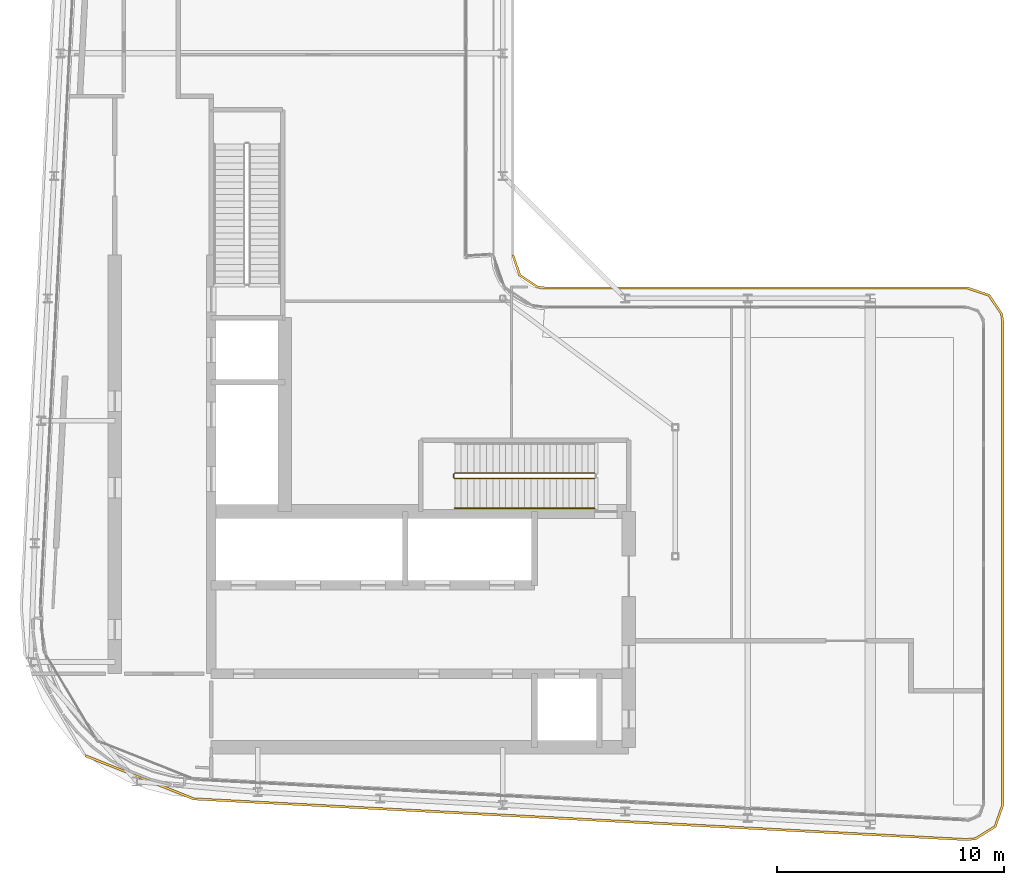
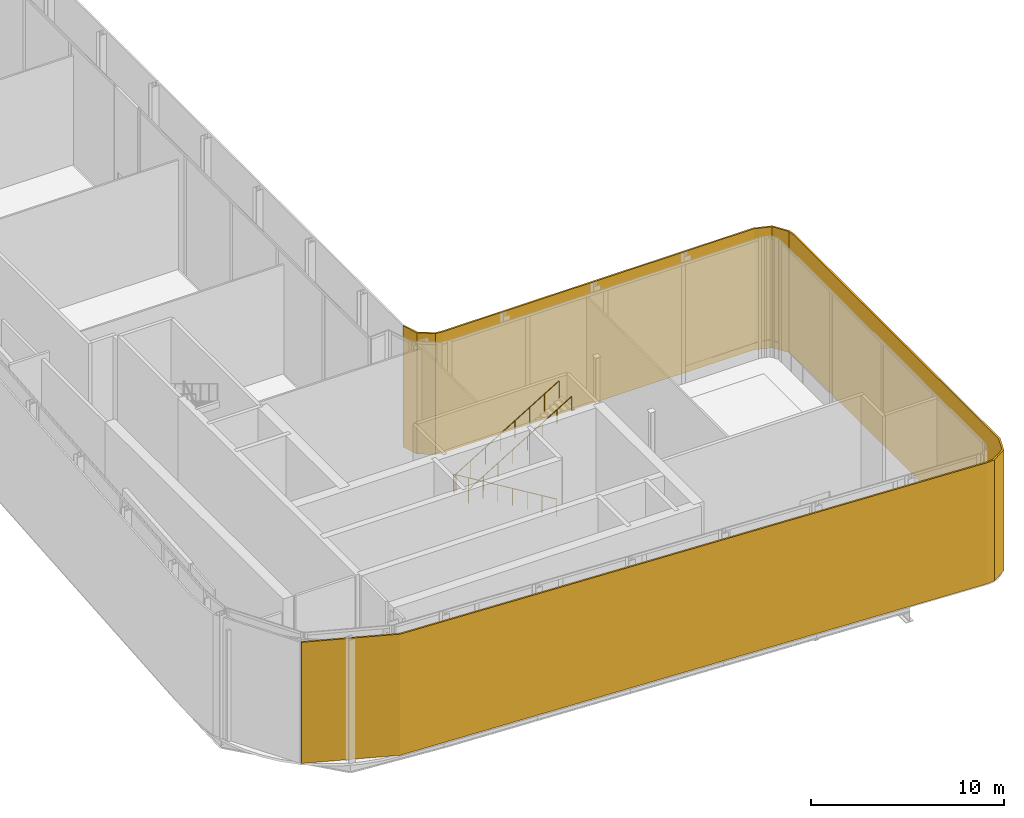
# One storey, part 25 of 28: 2 railings, 1 shading device.
"""IFC4 building model written with IfcOpenShell, lengths in metres."""

from ifc_helpers import new_model, si_unit, direction, frame, origin, origin_2d, place, context, subcontext, project, spatial, polyline, circle, outline, extrude, material, layer, layer_set, type_object, element, save


model = new_model("IFC4")

# Units and contexts
model_context = context("Model", 3, precision=1e-05, world=origin(), true_north=direction((0.0, 1.0)))
body_context = subcontext(model_context, "Body", "Model", "MODEL_VIEW")
ifc_project = project(units=[si_unit("LENGTHUNIT", "METRE"), si_unit("AREAUNIT", "SQUARE_METRE"), si_unit("VOLUMEUNIT", "CUBIC_METRE"), si_unit("PLANEANGLEUNIT", "RADIAN"), si_unit("MASSUNIT", "GRAM", prefix="KILO")], contexts=[model_context])

# Site, building, storey
site_placement = place(None, origin())
site = spatial("IfcSite", under=ifc_project, at=site_placement, CompositionType="ELEMENT")
building_placement = place(site_placement, origin())
building = spatial("IfcBuilding", under=site, at=building_placement, Name="Kheshtan School and Residences Tower", CompositionType="ELEMENT")
storey_placement = place(building_placement, frame((0.0, 0.0, 325.39990234375)))
storey = spatial("IfcBuildingStorey", under=building, at=storey_placement, Name="L77", CompositionType="ELEMENT", Elevation=325.39990234375)

# Shading device
ifc_material_1 = material(Name="Terracotta baguette, extruded ceramic", Category="masonry")
ifc_layer = layer(ifc_material_1, 0.10009765625)
ifc_layer_set = layer_set([ifc_layer], Name="Ledge screen, terracotta baguettes")
shading_device_type = type_object("IfcShadingDeviceType", Name="Ledge screen, terracotta baguettes", PredefinedType="USERDEFINED", material=ifc_layer_set)
shading_device_placement = place(storey_placement, origin())
element("IfcShadingDevice", 1, at=shading_device_placement, inside=storey, type_object=shading_device_type, Name="Screen L77 4", ObjectType="BAGUETTE", PredefinedType="USERDEFINED", context=body_context, shape_type="SweptSolid", body=[
    extrude(outline(polyline([(48.0, 47.5), (48.31005859375, 46.5869140625), (49.112060546875, 46.051025390625), (49.5, 46.0), (68.10009765625, 46.0), (69.012939453125, 45.68994140625), (69.549072265625, 44.887939453125), (69.60009765625, 44.5), (69.60009765625, 23.285888671875), (69.27001953125, 22.346923828125), (68.424072265625, 21.822021484375), (68.02099609375, 21.7880859375), (33.989013671875, 23.580078125), (29.2119140625, 25.486083984375), (29.175048828125, 25.39306640625), (33.967041015625, 23.48095703125), (68.02294921875, 21.68798828125), (68.4560546875, 21.72412109375), (69.35302734375, 22.281005859375), (69.699951171875, 23.26904296875), (69.699951171875, 44.507080078125), (69.64501953125, 44.924072265625), (69.076904296875, 45.77392578125), (68.116943359375, 46.10009765625), (49.507080078125, 46.10009765625), (49.14794921875, 46.14697265625), (48.39404296875, 46.65087890625), (48.094970703125, 47.531982421875), (48.0, 47.5)])), origin(), (0.0, 0.0, 1.0), 7.650146484375),
])

# Railings
ifc_material_2 = material(Name="Stainless steel balustrade", Category="steel")
railing_type_1 = type_object("IfcRailingType", Name="Stair guard 1100", PredefinedType="GUARDRAIL", material=ifc_material_2)
railing_1_placement = place(storey_placement, frame((51.64990234375, 37.89990234375, 0.169677734375)))
element("IfcRailing", 2, at=railing_1_placement, inside=storey, type_object=railing_type_1, Name="L77 ST1 stair guard 1", PredefinedType="GUARDRAIL", context=body_context, shape_type="SweptSolid", body=[
    extrude(circle(Radius=0.02392578125, at=origin_2d()), frame((0.0, 0.0, 1.076171875), z_axis=(-0.855370820849, 0.0, 0.518016176234), x_axis=(0.0, -1.0, 0.0)), (0.0, 0.0, 1.0), 7.201416015625),
    extrude(circle(Radius=0.02392578125, at=origin_2d()), frame((-6.159912109375, 0.0, 4.806640625), z_axis=(-0.708833529934, -0.705375805398, 0.0), x_axis=(0.705375805398, -0.708833529934, 0.0)), (0.0, 0.0, 1.0), 0.070556640625),
    extrude(circle(Radius=0.02392578125, at=origin_2d()), frame((-6.2099609375, -0.0498046875, 4.806640625), z_axis=(0.0, -1.0, 0.0), x_axis=(1.0, 0.0, 0.0)), (0.0, 0.0, 1.0), 0.150146484375),
    extrude(circle(Radius=0.02392578125, at=origin_2d()), frame((-6.2099609375, -0.199951171875, 4.806640625), z_axis=(0.272562526181, -0.272562526181, 0.92272386912), x_axis=(0.707106781187, 0.707106781187, 0.0)), (0.0, 0.0, 1.0), 0.18359375),
    extrude(circle(Radius=0.02392578125, at=origin_2d()), frame((-6.159912109375, -0.25, 4.97607421875), z_axis=(0.855370820849, 0.0, 0.518016176234), x_axis=(0.0, 1.0, 0.0)), (0.0, 0.0, 1.0), 7.201416015625),
    extrude(circle(Radius=0.02099609375, at=origin_2d()), origin(), (0.0, 0.0, 1.0), 1.052001953125),
    extrude(circle(Radius=0.02099609375, at=origin_2d()), frame((-0.8798828125, 0.0, 0.532958984375)), (0.0, 0.0, 1.0), 1.052001953125),
    extrude(circle(Radius=0.02099609375, at=origin_2d()), frame((-1.760009765625, 0.0, 1.06591796875)), (0.0, 0.0, 1.0), 1.052001953125),
    extrude(circle(Radius=0.02099609375, at=origin_2d()), frame((-2.639892578125, 0.0, 1.598876953125)), (0.0, 0.0, 1.0), 1.052001953125),
    extrude(circle(Radius=0.02099609375, at=origin_2d()), frame((-3.52001953125, 0.0, 2.131591796875)), (0.0, 0.0, 1.0), 1.052001953125),
    extrude(circle(Radius=0.02099609375, at=origin_2d()), frame((-4.39990234375, 0.0, 2.66455078125)), (0.0, 0.0, 1.0), 1.052001953125),
    extrude(circle(Radius=0.02099609375, at=origin_2d()), frame((-5.280029296875, 0.0, 3.197509765625)), (0.0, 0.0, 1.0), 1.052001953125),
    extrude(circle(Radius=0.02099609375, at=origin_2d()), frame((-6.159912109375, 0.0, 3.73046875)), (0.0, 0.0, 1.0), 1.052001953125),
    extrude(circle(Radius=0.02099609375, at=origin_2d()), frame((-6.2099609375, -0.0498046875, 3.73046875)), (0.0, 0.0, 1.0), 1.052001953125),
    extrude(circle(Radius=0.02099609375, at=origin_2d()), frame((-6.2099609375, -0.199951171875, 3.73046875)), (0.0, 0.0, 1.0), 1.052001953125),
    extrude(circle(Radius=0.02099609375, at=origin_2d()), frame((-6.159912109375, -0.25, 3.89990234375)), (0.0, 0.0, 1.0), 1.052001953125),
    extrude(circle(Radius=0.02099609375, at=origin_2d()), frame((-5.280029296875, -0.25, 4.432861328125)), (0.0, 0.0, 1.0), 1.052001953125),
    extrude(circle(Radius=0.02099609375, at=origin_2d()), frame((-4.39990234375, -0.25, 4.9658203125)), (0.0, 0.0, 1.0), 1.052001953125),
    extrude(circle(Radius=0.02099609375, at=origin_2d()), frame((-3.52001953125, -0.25, 5.498779296875)), (0.0, 0.0, 1.0), 1.052001953125),
    extrude(circle(Radius=0.02099609375, at=origin_2d()), frame((-2.639892578125, -0.25, 6.031494140625)), (0.0, 0.0, 1.0), 1.052001953125),
    extrude(circle(Radius=0.02099609375, at=origin_2d()), frame((-1.760009765625, -0.25, 6.564453125)), (0.0, 0.0, 1.0), 1.052001953125),
    extrude(circle(Radius=0.02099609375, at=origin_2d()), frame((-0.8798828125, -0.25, 7.097412109375)), (0.0, 0.0, 1.0), 1.052001953125),
    extrude(circle(Radius=0.02099609375, at=origin_2d()), frame((0.0, -0.25, 7.63037109375)), (0.0, 0.0, 1.0), 1.052001953125),
])
ifc_material_3 = material(Name="Stainless steel handrail", Category="steel")
railing_type_2 = type_object("IfcRailingType", Name="Stair handrail 900", PredefinedType="HANDRAIL", material=ifc_material_3)
railing_2_placement = place(storey_placement, frame((45.489990234375, 36.35009765625, 4.069580078125)))
element("IfcRailing", 3, at=railing_2_placement, inside=storey, type_object=railing_type_2, Name="L77 ST1 stair handrail 2", PredefinedType="HANDRAIL", context=body_context, shape_type="SweptSolid", body=[
    extrude(circle(Radius=0.02392578125, at=origin_2d()), frame((0.0, 0.0, 0.8759765625), z_axis=(0.855370820849, 0.0, 0.518016176234), x_axis=(0.0, 1.0, 0.0)), (0.0, 0.0, 1.0), 7.201416015625),
    extrude(circle(Radius=0.02099609375, at=origin_2d()), origin(), (0.0, 0.0, 1.0), 0.851806640625),
    extrude(circle(Radius=0.02099609375, at=origin_2d()), frame((0.8798828125, 0.0, 0.532958984375)), (0.0, 0.0, 1.0), 0.851806640625),
    extrude(circle(Radius=0.02099609375, at=origin_2d()), frame((1.760009765625, 0.0, 1.06591796875)), (0.0, 0.0, 1.0), 0.851806640625),
    extrude(circle(Radius=0.02099609375, at=origin_2d()), frame((2.639892578125, 0.0, 1.598876953125)), (0.0, 0.0, 1.0), 0.851806640625),
    extrude(circle(Radius=0.02099609375, at=origin_2d()), frame((3.52001953125, 0.0, 2.131591796875)), (0.0, 0.0, 1.0), 0.851806640625),
    extrude(circle(Radius=0.02099609375, at=origin_2d()), frame((4.39990234375, 0.0, 2.66455078125)), (0.0, 0.0, 1.0), 0.851806640625),
    extrude(circle(Radius=0.02099609375, at=origin_2d()), frame((5.280029296875, 0.0, 3.197509765625)), (0.0, 0.0, 1.0), 0.851806640625),
    extrude(circle(Radius=0.02099609375, at=origin_2d()), frame((6.159912109375, 0.0, 3.73046875)), (0.0, 0.0, 1.0), 0.851806640625),
])

save(model, "model.ifc")
